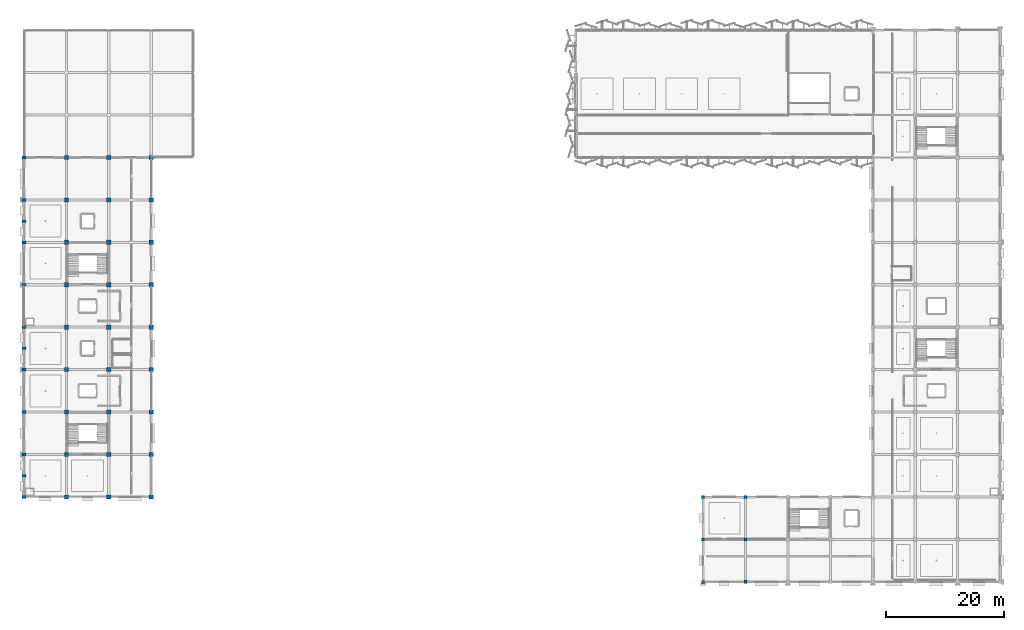
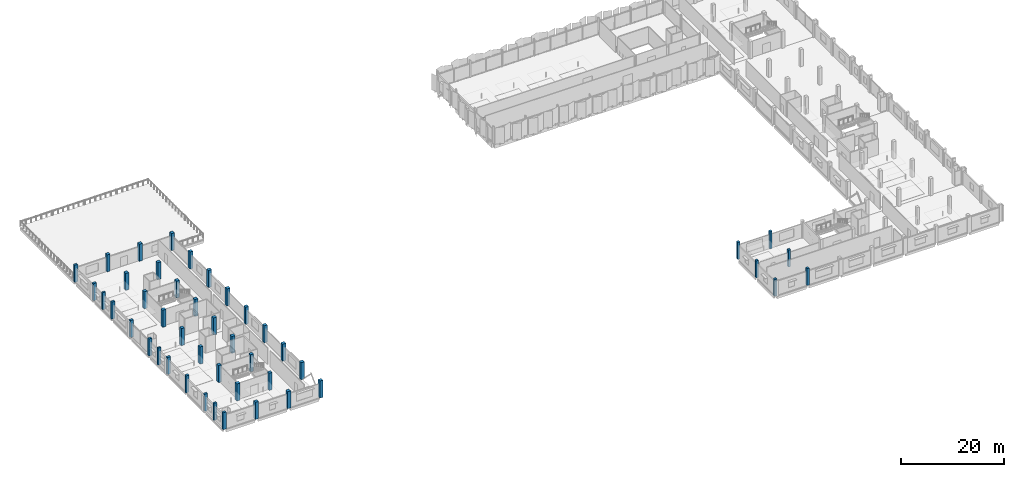
# One storey, part 1 of 77: 45 columns.
"""IFC4 building model written with IfcOpenShell, lengths in metres."""

from ifc_helpers import new_model, si_unit, direction, frame, origin, origin_2d, place, context, subcontext, project, spatial, rectangle, extrude, material, material_profile, profile_set, type_object, element, save


model = new_model("IFC4")

# Units and contexts
model_context = context("Model", 3, precision=1e-05, world=origin(), true_north=direction((0.0, 1.0)))
body_context = subcontext(model_context, "Body", "Model", "MODEL_VIEW")
ifc_project = project(units=[si_unit("LENGTHUNIT", "METRE"), si_unit("AREAUNIT", "SQUARE_METRE"), si_unit("VOLUMEUNIT", "CUBIC_METRE"), si_unit("PLANEANGLEUNIT", "RADIAN"), si_unit("MASSUNIT", "GRAM", prefix="KILO")], contexts=[model_context])

# Site, building, storey
site_placement = place(None, origin())
site = spatial("IfcSite", under=ifc_project, at=site_placement, CompositionType="ELEMENT")
building_placement = place(site_placement, origin())
building = spatial("IfcBuilding", under=site, at=building_placement, Name="Kangsadwip Square Police Headquarters", CompositionType="ELEMENT")
storey_placement = place(building_placement, frame((0.0, 0.0, 17.550048828125)))
storey = spatial("IfcBuildingStorey", under=building, at=storey_placement, Name="L04", CompositionType="ELEMENT", Elevation=17.550048828125)

# Columns
ifc_material_1 = material(Name="Concrete M35 (35 MPa)", Category="concrete")
ifc_material_profile_1 = material_profile(ifc_material_1, rectangle(XDim=0.5, YDim=0.5, at=origin_2d()), Name="RC COL 500X500")
ifc_profile_set_1 = profile_set([ifc_material_profile_1], Name="Concrete M35 (35 MPa)")
column_type_1 = type_object("IfcColumnType", Name="RcCol500x500", PredefinedType="COLUMN", material=ifc_profile_set_1)
for number, where, z_axis, x_axis, name in (
    (1, (115.199951171875, 21.60009765625, 0.0), (0.0, 0.0, 1.0), (1.0, 0.0, 0.0), "Column COL-L04-16-03"),
    (2, (115.199951171875, 36.0, 0.0), (0.0, 0.0, 1.0), (1.0, 0.0, 0.0), "Column COL-L04-16-05"),
    (3, (122.39990234375, 28.800048828125, 0.0), (0.0, 0.0, 1.0), (1.0, 0.0, 0.0), "Column COL-L04-17-04"),
):
    element("IfcColumn", number, at=place(storey_placement, frame(where, z_axis=z_axis, x_axis=x_axis)), inside=storey, type_object=column_type_1, Name=name, PredefinedType="COLUMN", context=body_context, shape_type="SweptSolid", body=[
        extrude(rectangle(XDim=0.5, YDim=0.5, at=origin_2d()), origin(), (0.0, 0.0, 1.0), 4.050048828125),
    ])
ifc_material_2 = material(Name="Concrete M35 (35 MPa)", Category="concrete")
ifc_material_profile_2 = material_profile(ifc_material_2, rectangle(XDim=0.550048828125, YDim=0.550048828125, at=origin_2d()), Name="RC COL 550X550")
ifc_profile_set_2 = profile_set([ifc_material_profile_2], Name="Concrete M35 (35 MPa)")
column_type_2 = type_object("IfcColumnType", Name="RcCol550x550", PredefinedType="COLUMN", material=ifc_profile_set_2)
for number, where, z_axis, x_axis, name in (
    (4, (115.199951171875, 28.800048828125, 0.0), (0.0, 0.0, 1.0), (1.0, 0.0, 0.0), "Column COL-L04-16-04"),
    (5, (122.39990234375, 21.60009765625, 0.0), (0.0, 0.0, 1.0), (1.0, 0.0, 0.0), "Column COL-L04-17-03"),
    (6, (122.39990234375, 36.0, 0.0), (0.0, 0.0, 1.0), (1.0, 0.0, 0.0), "Column COL-L04-17-05"),
):
    element("IfcColumn", number, at=place(storey_placement, frame(where, z_axis=z_axis, x_axis=x_axis)), inside=storey, type_object=column_type_2, Name=name, PredefinedType="COLUMN", context=body_context, shape_type="SweptSolid", body=[
        extrude(rectangle(XDim=0.550048828125, YDim=0.550048828125, at=origin_2d()), origin(), (0.0, 0.0, 1.0), 4.050048828125),
    ])
ifc_material_3 = material(Name="Concrete M35 (35 MPa)", Category="concrete")
ifc_material_profile_3 = material_profile(ifc_material_3, rectangle(XDim=0.5, YDim=0.699951171875, at=origin_2d()), Name="RC COL 700X500")
ifc_profile_set_3 = profile_set([ifc_material_profile_3], Name="Concrete M35 (35 MPa)")
column_type_3 = type_object("IfcColumnType", Name="RcCol700x500", PredefinedType="COLUMN", material=ifc_profile_set_3)
for number, where, z_axis, x_axis, name in (
    (7, (0.0, 36.0, 0.0), (0.0, 0.0, 1.0), (0.0, 1.0, 0.0), "Column COL-L04-00-05"),
    (8, (0.0, 43.199951171875, 0.0), (0.0, 0.0, 1.0), (0.0, 1.0, 0.0), "Column COL-L04-00-06"),
    (9, (0.0, 50.39990234375, 0.0), (0.0, 0.0, 1.0), (0.0, 1.0, 0.0), "Column COL-L04-00-07"),
    (10, (0.0, 57.60009765625, 0.0), (0.0, 0.0, 1.0), (0.0, 1.0, 0.0), "Column COL-L04-00-08"),
    (11, (0.0, 64.800048828125, 0.0), (0.0, 0.0, 1.0), (0.0, 1.0, 0.0), "Column COL-L04-00-09"),
    (12, (0.0, 72.0, 0.0), (0.0, 0.0, 1.0), (0.0, 1.0, 0.0), "Column COL-L04-00-10"),
    (13, (0.0, 79.199951171875, 0.0), (0.0, 0.0, 1.0), (0.0, 1.0, 0.0), "Column COL-L04-00-11"),
    (14, (0.0, 86.39990234375, 0.0), (0.0, 0.0, 1.0), (0.0, 1.0, 0.0), "Column COL-L04-00-12"),
    (15, (0.0, 93.60009765625, 0.0), (0.0, 0.0, 1.0), (0.0, 1.0, 0.0), "Column COL-L04-00-13"),
):
    element("IfcColumn", number, at=place(storey_placement, frame(where, z_axis=z_axis, x_axis=x_axis)), inside=storey, type_object=column_type_3, Name=name, PredefinedType="COLUMN", context=body_context, shape_type="SweptSolid", body=[
        extrude(rectangle(XDim=0.5, YDim=0.699951171875, at=origin_2d()), origin(), (0.0, 0.0, 1.0), 4.050048828125),
    ])
ifc_material_4 = material(Name="Concrete M40 (40 MPa)", Category="concrete")
ifc_material_profile_4 = material_profile(ifc_material_4, rectangle(XDim=0.699951171875, YDim=0.699951171875, at=origin_2d()), Name="RC COL 700X700")
ifc_profile_set_4 = profile_set([ifc_material_profile_4], Name="Concrete M40 (40 MPa)")
column_type_4 = type_object("IfcColumnType", Name="RcCol700x700", PredefinedType="COLUMN", material=ifc_profile_set_4)
for number, where, z_axis, x_axis, name in (
    (16, (7.199951171875, 36.0, 0.0), (0.0, 0.0, 1.0), (1.0, 0.0, 0.0), "Column COL-L04-01-05"),
    (17, (7.199951171875, 43.199951171875, 0.0), (0.0, 0.0, 1.0), (1.0, 0.0, 0.0), "Column COL-L04-01-06"),
    (18, (7.199951171875, 50.39990234375, 0.0), (0.0, 0.0, 1.0), (1.0, 0.0, 0.0), "Column COL-L04-01-07"),
    (19, (7.199951171875, 57.60009765625, 0.0), (0.0, 0.0, 1.0), (1.0, 0.0, 0.0), "Column COL-L04-01-08"),
    (20, (7.199951171875, 64.800048828125, 0.0), (0.0, 0.0, 1.0), (1.0, 0.0, 0.0), "Column COL-L04-01-09"),
    (21, (7.199951171875, 72.0, 0.0), (0.0, 0.0, 1.0), (1.0, 0.0, 0.0), "Column COL-L04-01-10"),
    (22, (7.199951171875, 79.199951171875, 0.0), (0.0, 0.0, 1.0), (1.0, 0.0, 0.0), "Column COL-L04-01-11"),
    (23, (7.199951171875, 86.39990234375, 0.0), (0.0, 0.0, 1.0), (1.0, 0.0, 0.0), "Column COL-L04-01-12"),
    (24, (7.199951171875, 93.60009765625, 0.0), (0.0, 0.0, 1.0), (1.0, 0.0, 0.0), "Column COL-L04-01-13"),
    (25, (14.39990234375, 36.0, 0.0), (0.0, 0.0, 1.0), (1.0, 0.0, 0.0), "Column COL-L04-02-05"),
    (26, (14.39990234375, 43.199951171875, 0.0), (0.0, 0.0, 1.0), (1.0, 0.0, 0.0), "Column COL-L04-02-06"),
    (27, (14.39990234375, 50.39990234375, 0.0), (0.0, 0.0, 1.0), (1.0, 0.0, 0.0), "Column COL-L04-02-07"),
    (28, (14.39990234375, 57.60009765625, 0.0), (0.0, 0.0, 1.0), (1.0, 0.0, 0.0), "Column COL-L04-02-08"),
    (29, (14.39990234375, 64.800048828125, 0.0), (0.0, 0.0, 1.0), (1.0, 0.0, 0.0), "Column COL-L04-02-09"),
    (30, (14.39990234375, 72.0, 0.0), (0.0, 0.0, 1.0), (1.0, 0.0, 0.0), "Column COL-L04-02-10"),
    (31, (14.39990234375, 79.199951171875, 0.0), (0.0, 0.0, 1.0), (1.0, 0.0, 0.0), "Column COL-L04-02-11"),
    (32, (14.39990234375, 86.39990234375, 0.0), (0.0, 0.0, 1.0), (1.0, 0.0, 0.0), "Column COL-L04-02-12"),
    (33, (14.39990234375, 93.60009765625, 0.0), (0.0, 0.0, 1.0), (1.0, 0.0, 0.0), "Column COL-L04-02-13"),
    (34, (21.60009765625, 36.0, 0.0), (0.0, 0.0, 1.0), (1.0, 0.0, 0.0), "Column COL-L04-03-05"),
    (35, (21.60009765625, 43.199951171875, 0.0), (0.0, 0.0, 1.0), (1.0, 0.0, 0.0), "Column COL-L04-03-06"),
    (36, (21.60009765625, 50.39990234375, 0.0), (0.0, 0.0, 1.0), (1.0, 0.0, 0.0), "Column COL-L04-03-07"),
    (37, (21.60009765625, 57.60009765625, 0.0), (0.0, 0.0, 1.0), (1.0, 0.0, 0.0), "Column COL-L04-03-08"),
    (38, (21.60009765625, 64.800048828125, 0.0), (0.0, 0.0, 1.0), (1.0, 0.0, 0.0), "Column COL-L04-03-09"),
    (39, (21.60009765625, 72.0, 0.0), (0.0, 0.0, 1.0), (1.0, 0.0, 0.0), "Column COL-L04-03-10"),
    (40, (21.60009765625, 79.199951171875, 0.0), (0.0, 0.0, 1.0), (1.0, 0.0, 0.0), "Column COL-L04-03-11"),
    (41, (21.60009765625, 86.39990234375, 0.0), (0.0, 0.0, 1.0), (1.0, 0.0, 0.0), "Column COL-L04-03-12"),
    (42, (21.60009765625, 93.60009765625, 0.0), (0.0, 0.0, 1.0), (1.0, 0.0, 0.0), "Column COL-L04-03-13"),
):
    element("IfcColumn", number, at=place(storey_placement, frame(where, z_axis=z_axis, x_axis=x_axis)), inside=storey, type_object=column_type_4, Name=name, PredefinedType="COLUMN", context=body_context, shape_type="SweptSolid", body=[
        extrude(rectangle(XDim=0.699951171875, YDim=0.699951171875, at=origin_2d()), origin(), (0.0, 0.0, 1.0), 4.050048828125),
    ])
ifc_material_5 = material(Name="Concrete M40 (40 MPa)", Category="concrete")
ifc_material_profile_5 = material_profile(ifc_material_5, rectangle(XDim=0.39990234375, YDim=0.64990234375, at=origin_2d()), Name="RC PIL 650X400")
ifc_profile_set_5 = profile_set([ifc_material_profile_5], Name="Concrete M40 (40 MPa)")
column_type_5 = type_object("IfcColumnType", Name="RcPil650x400", PredefinedType="PILASTER", material=ifc_profile_set_5)
for number, where, z_axis, x_axis, name in (
    (43, (0.0, 39.60009765625, 0.0), (0.0, 0.0, 1.0), (0.0, 1.0, 0.0), "Colonnade Pilaster PIL-L04-006"),
    (44, (0.0, 61.199951171875, 0.0), (0.0, 0.0, 1.0), (0.0, 1.0, 0.0), "Colonnade Pilaster PIL-L04-015"),
    (45, (0.0, 82.800048828125, 0.0), (0.0, 0.0, 1.0), (0.0, 1.0, 0.0), "Colonnade Pilaster PIL-L04-024"),
):
    element("IfcColumn", number, at=place(storey_placement, frame(where, z_axis=z_axis, x_axis=x_axis)), inside=storey, type_object=column_type_5, Name=name, PredefinedType="PILASTER", context=body_context, shape_type="SweptSolid", body=[
        extrude(rectangle(XDim=0.39990234375, YDim=0.64990234375, at=origin_2d()), origin(), (0.0, 0.0, 1.0), 4.050048828125),
    ])

save(model, "model.ifc")
